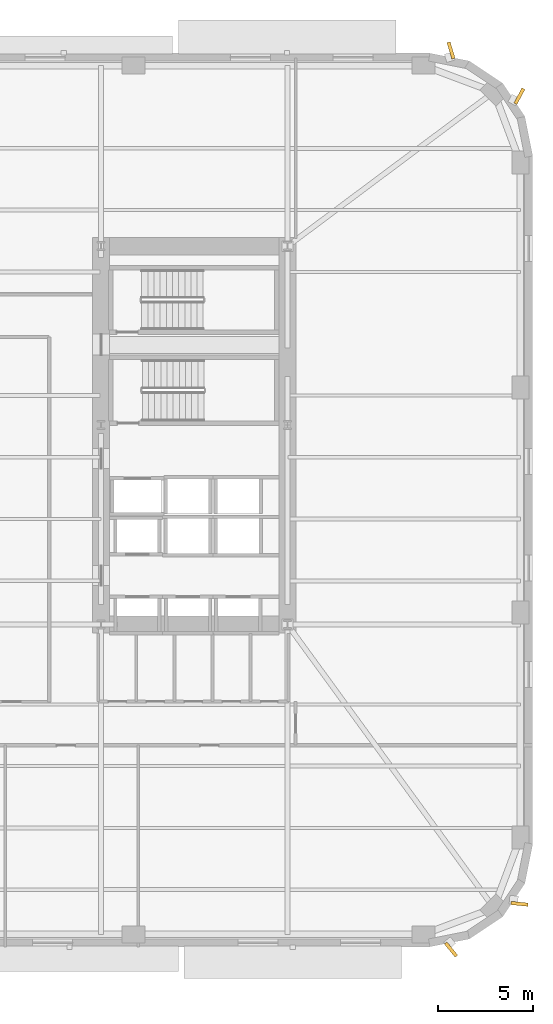
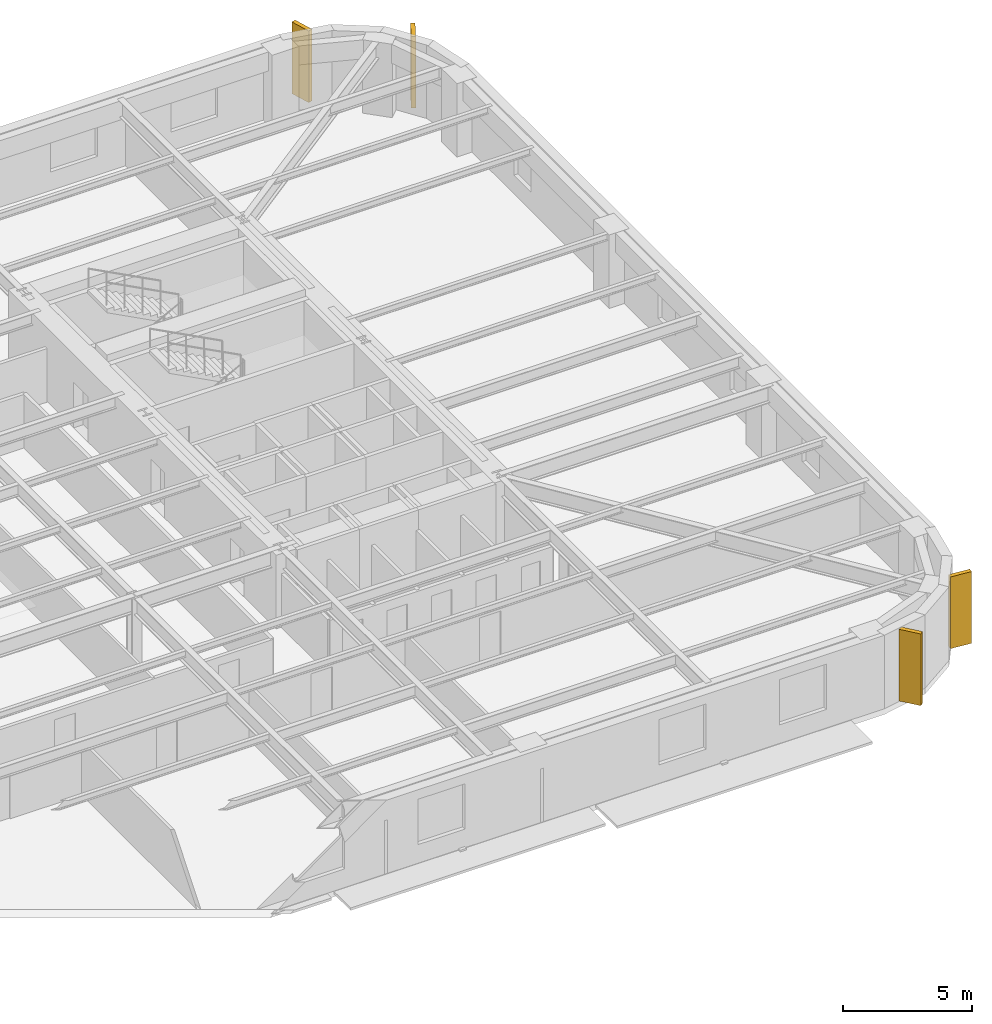
# One storey, part 15 of 15: 4 shading devices.
"""IFC4 building model written with IfcOpenShell, lengths in metres."""

from ifc_helpers import new_model, si_unit, direction, frame, origin, origin_2d, place, context, subcontext, project, spatial, rectangle, extrude, material, type_object, element, save


model = new_model("IFC4")

# Units and contexts
model_context = context("Model", 3, precision=1e-05, world=origin(), true_north=direction((0.0, 1.0)))
body_context = subcontext(model_context, "Body", "Model", "MODEL_VIEW")
ifc_project = project(units=[si_unit("LENGTHUNIT", "METRE"), si_unit("AREAUNIT", "SQUARE_METRE"), si_unit("VOLUMEUNIT", "CUBIC_METRE"), si_unit("PLANEANGLEUNIT", "RADIAN"), si_unit("MASSUNIT", "GRAM", prefix="KILO")], contexts=[model_context])

# Site, building, storey
site_placement = place(None, origin())
site = spatial("IfcSite", under=ifc_project, at=site_placement, CompositionType="ELEMENT")
building_placement = place(site_placement, origin())
building = spatial("IfcBuilding", under=site, at=building_placement, Name="Kolvaren Arena Tower", CompositionType="ELEMENT")
storey_placement = place(building_placement, frame((0.0, 0.0, 72.0)))
storey = spatial("IfcBuildingStorey", under=building, at=storey_placement, Name="L15", CompositionType="ELEMENT", Elevation=72.0)

# Shading devices
ifc_material = material(Name="Precast architectural concrete C50/60 rib fin", Category="concrete")
shading_device_type = type_object("IfcShadingDeviceType", Name="SHAD-FIN-28", PredefinedType="USERDEFINED", material=ifc_material)
for number, where, z_axis, x_axis, name in (
    (1, (68.95361328125, 2.3525390625, 0.02001953125), (0.0, 0.0, 1.0), (0.632722898811, -0.774378288254, 0.0), "Precast 28-Deg Corner Rib Fin (L15)"),
    (2, (72.552978515625, 4.757568359375, 0.02001953125), (0.0, 0.0, 1.0), (0.994971840066, -0.100155067151, 0.0), "Precast 28-Deg Corner Rib Fin (L15)"),
    (3, (72.552978515625, 47.242431640625, 0.02001953125), (0.0, 0.0, 1.0), (0.473348878368, 0.880875041846, 0.0), "Precast 28-Deg Corner Rib Fin (L15)"),
    (4, (68.95361328125, 49.6474609375, 0.02001953125), (0.0, 0.0, 1.0), (-0.288174541455, 0.957577899524, 0.0), "Precast 28-Deg Corner Rib Fin (L15)"),
):
    element("IfcShadingDevice", number, at=place(storey_placement, frame(where, z_axis=z_axis, x_axis=x_axis)), inside=storey, type_object=shading_device_type, Name=name, ObjectType="FIN", PredefinedType="USERDEFINED", context=body_context, shape_type="SweptSolid", body=[
        extrude(rectangle(XDim=0.89990234375, YDim=0.179931640625, at=origin_2d()), origin(), (0.0, 0.0, 1.0), 3.39990234375),
    ])

save(model, "model.ifc")
